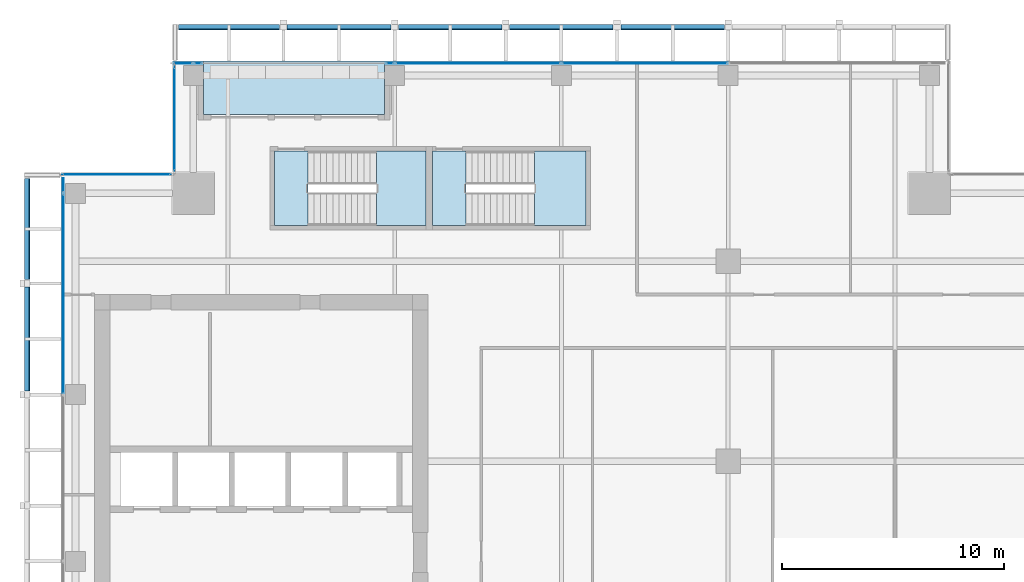
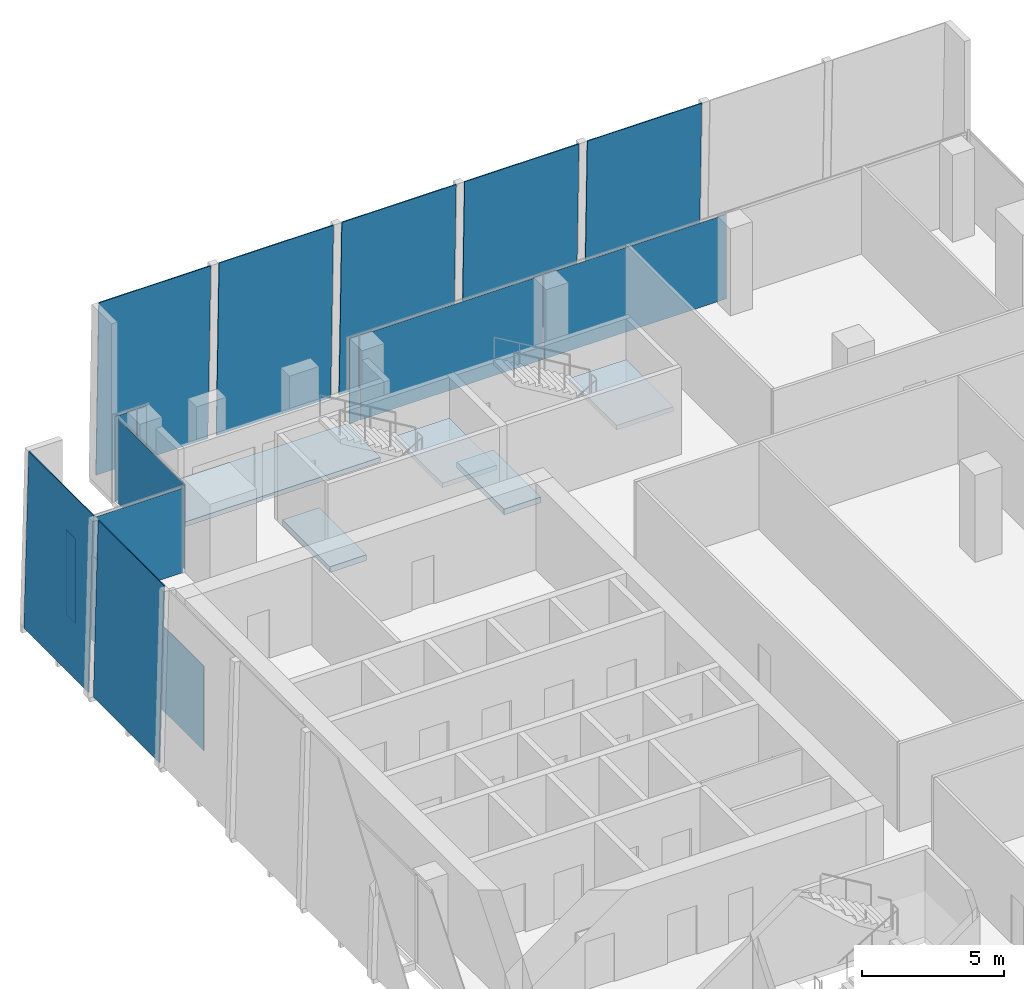
# One storey, part 26 of 35: 16 plates, 5 slabs, 7 elements without a shape of their own.
"""IFC4 building model written with IfcOpenShell, lengths in metres."""

import ifcopenshell
import ifcopenshell.guid

model = None  # the IFC model being written
_history = None  # IfcOwnerHistory: only IFC2X3 demands one
_inside = {}  # id of a spatial element -> (the spatial element, [elements in it])
_under = {}  # id of a project, library or spatial element -> (it, [spatial elements below it])
_declared = {}  # id of a project -> (the project, [libraries it declares])
_typed = {}  # id of a type object -> (the type object, [elements of that type])
_made_of = {}  # id of a material, layer set ... -> (it, [elements and type objects made of it])


def new_model(schema):
    """Start an empty IFC model of exactly this schema.

    Asked for "IFC4X3", IfcOpenShell would pick the latest addendum, in which some entities
    have other attributes; the version numbers below select the first issue.
    IFC2X3 requires an IfcOwnerHistory on every rooted entity: one is made here for all.
    """
    global model, _history
    if schema == "IFC4X3":
        model = ifcopenshell.file(schema_version=(4, 3, 0, 0))
    else:
        model = ifcopenshell.file(schema=schema)
    _inside.clear()
    _under.clear()
    _declared.clear()
    _typed.clear()
    _made_of.clear()
    _history = None
    if model.schema == "IFC2X3":
        org = make("IfcOrganization", Name="unknown")
        user = make(
            "IfcPersonAndOrganization",
            ThePerson=make("IfcPerson", FamilyName="unknown"),
            TheOrganization=org,
        )
        app = make(
            "IfcApplication",
            ApplicationDeveloper=org,
            Version="unknown",
            ApplicationFullName="unknown",
            ApplicationIdentifier="unknown",
        )
        _history = make(
            "IfcOwnerHistory",
            OwningUser=user,
            OwningApplication=app,
            ChangeAction="ADDED",
            CreationDate=0,
        )
    return model


def make(cls, **values):
    """One entity of the class cls with the attributes given. An attribute that is None is left unset."""
    return model.create_entity(
        cls, **{name: value for name, value in values.items() if value is not None}
    )


def rooted(cls, **values):
    """An entity with a GlobalId (a new one), such as an element, a storey or a relation."""
    return make(cls, GlobalId=ifcopenshell.guid.new(), OwnerHistory=_history, **values)


def si_unit(unit_type, name, prefix=None):
    """IfcSIUnit, for example si_unit("LENGTHUNIT", "METRE", prefix="MILLI")."""
    return make("IfcSIUnit", UnitType=unit_type, Prefix=prefix, Name=name)


def assignment(units):
    """IfcUnitAssignment: the units of a project."""
    return None if units is None else make("IfcUnitAssignment", Units=units)


def point(xyz):
    """IfcCartesianPoint."""
    return None if xyz is None else make("IfcCartesianPoint", Coordinates=xyz)


def direction(xyz):
    """IfcDirection."""
    return None if xyz is None else make("IfcDirection", DirectionRatios=xyz)


def frame(location, z_axis=None, x_axis=None):
    """IfcAxis2Placement3D, a coordinate frame: its origin and axes. An axis left out is left unset."""
    return make(
        "IfcAxis2Placement3D",
        Location=point(location),
        Axis=direction(z_axis),
        RefDirection=direction(x_axis),
    )


def frame_2d(location, x_axis=None):
    """IfcAxis2Placement2D, a coordinate frame in the plane: its origin and x axis."""
    return make(
        "IfcAxis2Placement2D", Location=point(location), RefDirection=direction(x_axis)
    )


def origin():
    """The frame at (0, 0, 0) with its axes left unset."""
    return frame((0.0, 0.0, 0.0))


def origin_2d():
    """The frame at (0, 0) in the plane with its x axis left unset."""
    return frame_2d((0.0, 0.0))


def place(relative_to, where):
    """IfcLocalPlacement: puts the frame where relative to a parent placement (None: the world)."""
    return make(
        "IfcLocalPlacement", PlacementRelTo=relative_to, RelativePlacement=where
    )


def context(
    kind, dimensions, precision=None, world=None, true_north=None, identifier=None
):
    """IfcGeometricRepresentationContext, for example the 3D "Model" context."""
    return make(
        "IfcGeometricRepresentationContext",
        ContextIdentifier=identifier,
        ContextType=kind,
        CoordinateSpaceDimension=dimensions,
        Precision=precision,
        WorldCoordinateSystem=world,
        TrueNorth=true_north,
    )


def subcontext(parent, identifier, kind, view, scale=None):
    """IfcGeometricRepresentationSubContext, for example "Body" below "Model"."""
    return make(
        "IfcGeometricRepresentationSubContext",
        ContextIdentifier=identifier,
        ContextType=kind,
        ParentContext=parent,
        TargetScale=scale,
        TargetView=view,
    )


def project(units=None, contexts=None):
    """IfcProject with its units and contexts."""
    return rooted(
        "IfcProject",
        Name="project",
        RepresentationContexts=contexts,
        UnitsInContext=assignment(units),
    )


def spatial(cls, under=None, at=None, **own):
    """A site, building, storey or space (cls), placed at a placement, below another one or the project."""
    s = rooted(cls, ObjectPlacement=at, **own)
    if under is not None:
        _under.setdefault(under.id(), (under, []))[1].append(s)
    return s


def polyline(points):
    """IfcPolyline through the points."""
    return make("IfcPolyline", Points=[point(p) for p in points])


def profile(cls, at=None, kind="AREA", **sizes):
    """A parametric profile (cls). Its sizes go by their IFC names, for example OverallWidth=200.0."""
    return make(cls, ProfileType=kind, Position=at, **sizes)


def rectangle(**sizes):
    """IfcRectangleProfileDef."""
    return profile("IfcRectangleProfileDef", **sizes)


def outline(outer, holes=None, kind="AREA"):
    """IfcArbitraryClosedProfileDef: a profile drawn as a closed curve; with holes, ...WithVoids."""
    if holes is None:
        return make("IfcArbitraryClosedProfileDef", ProfileType=kind, OuterCurve=outer)
    return make(
        "IfcArbitraryProfileDefWithVoids",
        ProfileType=kind,
        OuterCurve=outer,
        InnerCurves=holes,
    )


def extrude(swept, where, along, depth):
    """IfcExtrudedAreaSolid: the profile swept, set in the frame where, extruded along a direction by depth."""
    return make(
        "IfcExtrudedAreaSolid",
        SweptArea=swept,
        Position=where,
        ExtrudedDirection=direction(along),
        Depth=depth,
    )


def shape(context_of_items, identifier, shape_type, items):
    """IfcShapeRepresentation: the items that make up one representation, for example the "Body"."""
    return make(
        "IfcShapeRepresentation",
        ContextOfItems=context_of_items,
        RepresentationIdentifier=identifier,
        RepresentationType=shape_type,
        Items=items,
    )


def source(mapping_origin, context_of_items, identifier, shape_type, items):
    """IfcRepresentationMap: a shape defined once, which mapped items show again and again."""
    return make(
        "IfcRepresentationMap",
        MappingOrigin=mapping_origin,
        MappedRepresentation=shape(context_of_items, identifier, shape_type, items),
    )


def transform(
    local_origin,
    x_axis=None,
    y_axis=None,
    z_axis=None,
    scale=None,
    scale2=None,
    scale3=None,
    uniform=True,
):
    """IfcCartesianTransformationOperator3D, or its non-uniform kind. x_axis, y_axis, z_axis: its Axis1, 2, 3."""
    if uniform:
        return make(
            "IfcCartesianTransformationOperator3D",
            Axis1=direction(x_axis),
            Axis2=direction(y_axis),
            LocalOrigin=point(local_origin),
            Scale=scale,
            Axis3=direction(z_axis),
        )
    return make(
        "IfcCartesianTransformationOperator3DnonUniform",
        Axis1=direction(x_axis),
        Axis2=direction(y_axis),
        LocalOrigin=point(local_origin),
        Scale=scale,
        Axis3=direction(z_axis),
        Scale2=scale2,
        Scale3=scale3,
    )


def mapped(mapping_source, mapping_target):
    """IfcMappedItem: shows the shape of a source again, moved by a transform."""
    return make(
        "IfcMappedItem", MappingSource=mapping_source, MappingTarget=mapping_target
    )


def material(Name=None, Category=None):
    """IfcMaterial."""
    return make("IfcMaterial", Name=Name, Category=Category)


def layer(
    of_material, thickness, ventilated=None, Name=None, Category=None, Priority=None
):
    """IfcMaterialLayer: one layer of a wall or slab, of a material (None: an air gap)."""
    return make(
        "IfcMaterialLayer",
        Material=of_material,
        LayerThickness=thickness,
        IsVentilated=ventilated,
        Name=Name,
        Category=Category,
        Priority=Priority,
    )


def layer_set(layers, Name=None):
    """IfcMaterialLayerSet."""
    return make("IfcMaterialLayerSet", MaterialLayers=layers, LayerSetName=Name)


def made_of(thing, what):
    """Note that an element or type object is made of a material, layer set ...; save() writes the relation."""
    if what is not None:
        _made_of.setdefault(what.id(), (what, []))[1].append(thing)
    return thing


def type_object(cls, material=None, **own):
    """A type object (cls), such as IfcWallType, which elements share."""
    return made_of(rooted(cls, **own), material)


def element(
    cls,
    number,
    at=None,
    inside=None,
    cuts=None,
    type_object=None,
    material=None,
    context=None,
    identifier="Body",
    shape_type=None,
    held_by="IfcProductDefinitionShape",
    body=None,
    shapes=None,
    **own,
):
    """One element of the class cls, such as IfcWall. Its Tag is "e" and its number.

    at: its placement. inside: the storey or other place that contains it. cuts: it is an
    opening in that element (IfcRelVoidsElement). A single representation is given by context,
    identifier, shape_type and body (its items); several are given by shapes. held_by: the class
    of the entity that holds the representations. save() writes the other relations.
    """
    e = rooted(cls, Tag="e%d" % number, ObjectPlacement=at, **own)
    if body is not None:
        shapes = [shape(context, identifier, shape_type, body)]
    if shapes is not None:
        e.Representation = make(held_by, Representations=shapes)
    if inside is not None:
        _inside.setdefault(inside.id(), (inside, []))[1].append(e)
    if cuts is not None:
        rooted(
            "IfcRelVoidsElement", RelatingBuildingElement=cuts, RelatedOpeningElement=e
        )
    if type_object is not None:
        _typed.setdefault(type_object.id(), (type_object, []))[1].append(e)
    return made_of(e, material)


def aggregate(whole, parts):
    """IfcRelAggregates: a whole, such as a stair, and the parts it consists of."""
    return rooted("IfcRelAggregates", RelatingObject=whole, RelatedObjects=parts)


def save(model, path):
    """Write the relations noted so far, then the file.

    IfcRelAggregates (storeys below a building ...), IfcRelContainedInSpatialStructure (elements
    in a storey), IfcRelDefinesByType, IfcRelAssociatesMaterial and IfcRelDeclares: one each for
    every whole, place, type object, material and project.
    """
    for whole, parts in _under.values():
        aggregate(whole, parts)
    for where, things in _inside.values():
        rooted(
            "IfcRelContainedInSpatialStructure",
            RelatedElements=things,
            RelatingStructure=where,
        )
    for kind, things in _typed.values():
        rooted("IfcRelDefinesByType", RelatedObjects=things, RelatingType=kind)
    for what, things in _made_of.values():
        rooted("IfcRelAssociatesMaterial", RelatedObjects=things, RelatingMaterial=what)
    for by, libraries in _declared.values():
        rooted("IfcRelDeclares", RelatingContext=by, RelatedDefinitions=libraries)
    model.write(path)


model = new_model("IFC4")

# Units and contexts
model_context = context("Model", 3, precision=1e-05, world=origin(), true_north=direction((0.0, 1.0)))
body_context = subcontext(model_context, "Body", "Model", "MODEL_VIEW")
ifc_project = project(units=[si_unit("LENGTHUNIT", "METRE"), si_unit("AREAUNIT", "SQUARE_METRE"), si_unit("VOLUMEUNIT", "CUBIC_METRE"), si_unit("PLANEANGLEUNIT", "RADIAN"), si_unit("MASSUNIT", "GRAM", prefix="KILO")], contexts=[model_context])

# Site, building, storey
site_placement = place(None, origin())
site = spatial("IfcSite", under=ifc_project, at=site_placement, CompositionType="ELEMENT")
building_placement = place(site_placement, origin())
building = spatial("IfcBuilding", under=site, at=building_placement, Name="Khomas Fold Tower", CompositionType="ELEMENT")
storey_placement = place(building_placement, frame((0.0, 0.0, 258.199951171875)))
storey = spatial("IfcBuildingStorey", under=building, at=storey_placement, Name="L58", CompositionType="ELEMENT", Elevation=258.199951171875)

# Plates
ifc_material_1 = material(Name="Clear laminated glass", Category="glass")
ifc_layer_1 = layer(ifc_material_1, 0.0400390625)
ifc_layer_set_1 = layer_set([ifc_layer_1], Name="Clear laminated glass")
plate_type_1 = type_object("IfcPlateType", Name="SK-Clear laminated glass leaf", PredefinedType="SHEET", material=ifc_layer_set_1)
plate_1_placement = place(storey_placement, frame((9.77001953125, 51.13671875, 0.0009765625), z_axis=(0.0, 0.99965715546, 0.026183421048), x_axis=(1.0, 0.0, 0.0)))
element("IfcPlate", 1, at=plate_1_placement, inside=storey, type_object=plate_type_1, Name="OUTER SKIN glass L58 N1", PredefinedType="SHEET", context=body_context, shape_type="SweptSolid", body=[
    extrude(outline(polyline([(0.0, 0.0), (4.56005859375, 0.0), (4.56005859375, -7.552638208898188), (0.0, -7.552638208898188), (0.0, 0.0)])), origin(), (0.0, 0.0, -1.0), 0.0400390625),
])
for number, where, z_axis, x_axis, name in (
    (2, (14.669921875, 51.13671875, 0.0009765625), (0.0, 0.99965715546, 0.026183421048), (1.0, 0.0, 0.0), "OUTER SKIN glass L58 N3"),
    (3, (19.669921875, 51.13671875, 0.0009765625), (0.0, 0.99965715546, 0.026183421048), (1.0, 0.0, 0.0), "OUTER SKIN glass L58 N5"),
    (4, (24.669921875, 51.13671875, 0.0009765625), (0.0, 0.99965715546, 0.026183421048), (1.0, 0.0, 0.0), "OUTER SKIN glass L58 N7"),
    (5, (29.669921875, 51.13671875, 0.0009765625), (0.0, 0.99965715546, 0.026183421048), (1.0, 0.0, 0.0), "OUTER SKIN glass L58 N9"),
    (6, (2.86328125, 34.669921875, 0.0009765625), (-0.99965715546, 0.0, 0.026183421048), (0.0, 1.0, 0.0), "OUTER SKIN glass L58 W11"),
):
    element("IfcPlate", number, at=place(storey_placement, frame(where, z_axis=z_axis, x_axis=x_axis)), inside=storey, type_object=plate_type_1, Name=name, PredefinedType="SHEET", context=body_context, shape_type="SweptSolid", body=[
        extrude(outline(polyline([(0.0, 0.0), (4.66015625, 0.0), (4.66015625, -7.552638208898188), (0.0, -7.552638208898188), (0.0, 0.0)])), origin(), (0.0, 0.0, -1.0), 0.0400390625),
    ])
plate_2_placement = place(storey_placement, frame((2.86328125, 39.669921875, 0.0009765625), z_axis=(-0.99965715546, 0.0, 0.026183421048), x_axis=(0.0, 1.0, 0.0)))
element("IfcPlate", 7, at=plate_2_placement, inside=storey, type_object=plate_type_1, Name="OUTER SKIN glass L58 W13", PredefinedType="SHEET", context=body_context, shape_type="SweptSolid", body=[
    extrude(outline(polyline([(0.0, 0.0), (4.56005859375, 0.0), (4.56005859375, -7.552638208898188), (0.0, -7.552638208898188), (0.0, 0.0)])), origin(), (0.0, 0.0, -1.0), 0.0400390625),
])

# Curtain wall, plate
ifc_material_2 = material(Name="Aluminium framed double glazing", Category="aluminium")
curtain_wall_type = type_object("IfcCurtainWallType", Name="SK-Unitised clear-glass wall, office floors CW2", PredefinedType="NOTDEFINED", material=ifc_material_2)
curtain_wall_1_placement = place(storey_placement, origin())
curtain_wall_1 = element("IfcCurtainWall", 8, at=curtain_wall_1_placement, inside=storey, type_object=curtain_wall_type, Name="CW2 run L58 09-0", PredefinedType="NOTDEFINED")
ifc_material_3 = material(Name="Clear double glazed unit")
ifc_layer_2 = layer(ifc_material_3, 0.030029296875)
ifc_layer_set_2 = layer_set([ifc_layer_2], Name="Clear double glazed unit")
plate_type_2 = type_object("IfcPlateType", Name="SK-Unitised clear-glass wall, office floors glass panel CW2-P", PredefinedType="CURTAIN_PANEL", material=ifc_layer_set_2)
shared_shape_1 = source(origin(), body_context, "Body", "SweptSolid", [
    extrude(rectangle(XDim=0.659912109375, YDim=0.030029296875, at=origin_2d()), origin(), (0.0, 0.0, 1.0), 3.639892578125),
])
plate_3_placement = place(storey_placement, frame((4.60009765625, 43.909912109375, 0.0), z_axis=(0.0, 0.0, 1.0), x_axis=(0.0, -1.0, 0.0)))
plate_3 = element("IfcPlate", 9, at=plate_3_placement, type_object=plate_type_2, Name="CW2 glass panel 1", PredefinedType="CURTAIN_PANEL", context=body_context, shape_type="MappedRepresentation", body=[
    mapped(shared_shape_1, transform((0.0, 0.0, 0.0))),
])

# Curtain wall, plates
curtain_wall_2_placement = place(storey_placement, origin())
curtain_wall_2 = element("IfcCurtainWall", 10, at=curtain_wall_2_placement, inside=storey, type_object=curtain_wall_type, Name="CW2 run L58 06-0", PredefinedType="NOTDEFINED")
shared_shape_2 = source(origin(), body_context, "Body", "SweptSolid", [
    extrude(rectangle(XDim=7.43994140625, YDim=0.030029296875, at=origin_2d()), origin(), (0.0, 0.0, 1.0), 3.639892578125),
])
plate_4_placement = place(storey_placement, frame((30.75, 49.39990234375, 0.0), z_axis=(0.0, 0.0, 1.0), x_axis=(-1.0, 0.0, 0.0)))
plate_4 = element("IfcPlate", 11, at=plate_4_placement, type_object=plate_type_2, Name="CW2 glass panel 3", PredefinedType="CURTAIN_PANEL", context=body_context, shape_type="MappedRepresentation", body=[
    mapped(shared_shape_2, transform((0.0, 0.0, 0.0))),
])
plate_5_placement = place(storey_placement, frame((23.25, 49.39990234375, 0.0), z_axis=(0.0, 0.0, 1.0), x_axis=(-1.0, 0.0, 0.0)))
plate_5 = element("IfcPlate", 12, at=plate_5_placement, type_object=plate_type_2, Name="CW2 glass panel 4", PredefinedType="CURTAIN_PANEL", context=body_context, shape_type="MappedRepresentation", body=[
    mapped(shared_shape_2, transform((0.0, 0.0, 0.0))),
])

# Curtain wall, plate
curtain_wall_3_placement = place(storey_placement, origin())
curtain_wall_3 = element("IfcCurtainWall", 13, at=curtain_wall_3_placement, inside=storey, type_object=curtain_wall_type, Name="CW2 run L58 06-1", PredefinedType="NOTDEFINED")
shared_shape_3 = source(origin(), body_context, "Body", "SweptSolid", [
    extrude(rectangle(XDim=0.860107421875, YDim=0.030029296875, at=origin_2d()), origin(), (0.0, 0.0, 1.0), 3.639892578125),
])
plate_6_placement = place(storey_placement, frame((9.989990234375, 49.39990234375, 0.0), z_axis=(0.0, 0.0, 1.0), x_axis=(-1.0, 0.0, 0.0)))
plate_6 = element("IfcPlate", 14, at=plate_6_placement, type_object=plate_type_2, Name="CW2 glass panel 2", PredefinedType="CURTAIN_PANEL", context=body_context, shape_type="MappedRepresentation", body=[
    mapped(shared_shape_3, transform((0.0, 0.0, 0.0))),
])

# Plate
shared_shape_4 = source(origin(), body_context, "Body", "SweptSolid", [
    extrude(rectangle(XDim=8.989990234375, YDim=0.030029296875, at=origin_2d()), origin(), (0.0, 0.0, 1.0), 3.639892578125),
])
plate_7_placement = place(storey_placement, frame((4.60009765625, 39.02490234375, 0.0), z_axis=(0.0, 0.0, 1.0), x_axis=(0.0, -1.0, 0.0)))
plate_7 = element("IfcPlate", 15, at=plate_7_placement, type_object=plate_type_2, Name="CW2 glass panel 2", PredefinedType="CURTAIN_PANEL", context=body_context, shape_type="MappedRepresentation", body=[
    mapped(shared_shape_4, transform((0.0, 0.0, 0.0))),
])

aggregate(curtain_wall_1, [plate_3, plate_7])

# Curtain wall, plate
curtain_wall_4_placement = place(storey_placement, origin())
curtain_wall_4 = element("IfcCurtainWall", 16, at=curtain_wall_4_placement, inside=storey, type_object=curtain_wall_type, Name="CW2 corner return L58 07", PredefinedType="NOTDEFINED")
shared_shape_5 = source(origin(), body_context, "Body", "SweptSolid", [
    extrude(rectangle(XDim=4.679931640625, YDim=0.030029296875, at=origin_2d()), origin(), (0.0, 0.0, 1.0), 3.639892578125),
])
plate_8_placement = place(storey_placement, frame((9.60009765625, 46.89990234375, 0.0), z_axis=(0.0, 0.0, 1.0), x_axis=(0.0, -1.0, 0.0)))
plate_8 = element("IfcPlate", 17, at=plate_8_placement, type_object=plate_type_2, Name="CW2 glass panel 1", PredefinedType="CURTAIN_PANEL", context=body_context, shape_type="MappedRepresentation", body=[
    mapped(shared_shape_5, transform((0.0, 0.0, 0.0))),
])
aggregate(curtain_wall_4, [plate_8])

curtain_wall_5_placement = place(storey_placement, origin())
curtain_wall_5 = element("IfcCurtainWall", 18, at=curtain_wall_5_placement, inside=storey, type_object=curtain_wall_type, Name="CW2 corner return L58 08", PredefinedType="NOTDEFINED")
shared_shape_6 = source(origin(), body_context, "Body", "SweptSolid", [
    extrude(rectangle(XDim=4.8798828125, YDim=0.030029296875, at=origin_2d()), origin(), (0.0, 0.0, 1.0), 3.639892578125),
])
plate_9_placement = place(storey_placement, frame((7.0, 44.39990234375, 0.0), z_axis=(0.0, 0.0, 1.0), x_axis=(-1.0, 0.0, 0.0)))
plate_9 = element("IfcPlate", 19, at=plate_9_placement, type_object=plate_type_2, Name="CW2 glass panel 1", PredefinedType="CURTAIN_PANEL", context=body_context, shape_type="MappedRepresentation", body=[
    mapped(shared_shape_6, transform((0.0, 0.0, 0.0))),
])
aggregate(curtain_wall_5, [plate_9])

# Plate
shared_shape_7 = source(origin(), body_context, "Body", "SweptSolid", [
    extrude(rectangle(XDim=0.360107421875, YDim=0.030029296875, at=origin_2d()), origin(), (0.0, 0.0, 1.0), 3.639892578125),
])
plate_10_placement = place(storey_placement, frame((19.2900390625, 49.39990234375, 0.0), z_axis=(0.0, 0.0, 1.0), x_axis=(-1.0, 0.0, 0.0)))
plate_10 = element("IfcPlate", 20, at=plate_10_placement, type_object=plate_type_2, Name="CW2 glass panel 5", PredefinedType="CURTAIN_PANEL", context=body_context, shape_type="MappedRepresentation", body=[
    mapped(shared_shape_7, transform((0.0, 0.0, 0.0))),
])

aggregate(curtain_wall_2, [plate_4, plate_5, plate_10])

plate_11_placement = place(storey_placement, frame((10.659912109375, 49.39990234375, 0.0), z_axis=(0.0, 0.0, 1.0), x_axis=(-1.0, 0.0, 0.0)))
plate_11 = element("IfcPlate", 21, at=plate_11_placement, type_object=plate_type_2, Name="CW2 glass panel 1", PredefinedType="CURTAIN_PANEL", context=body_context, shape_type="MappedRepresentation", body=[
    mapped(shared_shape_7, transform((0.0, 0.0, 0.0))),
])

aggregate(curtain_wall_3, [plate_11, plate_6])

# Slab
ifc_material_4 = material(Name="Concrete C40/50", Category="concrete")
ifc_layer_3 = layer(ifc_material_4, 0.205078125)
ifc_layer_set_3 = layer_set([ifc_layer_3], Name="Concrete C40/50")
slab_type_1 = type_object("IfcSlabType", Name="BL-Balcony deck 205", PredefinedType="FLOOR", material=ifc_layer_set_3)
shared_shape_8 = source(origin(), body_context, "Body", "SweptSolid", [
    extrude(outline(polyline([(10.89990234375, 47.10009765625), (19.050048828125, 47.10009765625), (19.050048828125, 49.5), (10.89990234375, 49.5), (10.89990234375, 47.10009765625)])), origin(), (0.0, 0.0, 1.0), 0.205078125),
])
slab_1_placement = place(storey_placement, frame((0.0, 0.0, -0.25)))
element("IfcSlab", 22, at=slab_1_placement, inside=storey, type_object=slab_type_1, Name="Balcony deck BAL-L58-N1", PredefinedType="FLOOR", context=body_context, shape_type="MappedRepresentation", body=[
    mapped(shared_shape_8, transform((0.0, 0.0, 0.0))),
])

# Stair, slab
ifc_material_5 = material(Name="Concrete C40/50", Category="concrete")
stair_type_1 = type_object("IfcStairType", Name="Stair ST1", PredefinedType="HALF_TURN_STAIR", material=ifc_material_5)
stair_1_placement = place(storey_placement, origin())
stair_1 = element("IfcStair", 23, at=stair_1_placement, inside=storey, type_object=stair_type_1, Name="L58 ST1", PredefinedType="HALF_TURN_STAIR")
ifc_material_6 = material(Name="Concrete C40/50", Category="concrete")
ifc_layer_4 = layer(ifc_material_6, 0.199951171875)
ifc_layer_set_4 = layer_set([ifc_layer_4], Name="Concrete C40/50")
slab_type_2 = type_object("IfcSlabType", Name="Stair landing 200", PredefinedType="LANDING", material=ifc_layer_set_4)
shared_shape_9 = source(origin(), body_context, "Body", "SweptSolid", [
    extrude(outline(polyline([(18.679931640625, 42.10009765625), (20.89990234375, 42.10009765625), (20.89990234375, 45.449951171875), (18.679931640625, 45.449951171875), (18.679931640625, 42.10009765625)])), origin(), (0.0, 0.0, 1.0), 0.199951171875),
])
slab_2_placement = place(storey_placement, frame((0.0, 0.0, 1.800048828125)))
slab_2 = element("IfcSlab", 24, at=slab_2_placement, type_object=slab_type_2, Name="ST1 landing 1", PredefinedType="LANDING", context=body_context, shape_type="MappedRepresentation", body=[
    mapped(shared_shape_9, transform((0.0, 0.0, 0.0))),
])
aggregate(stair_1, [slab_2])

# Slab
ifc_material_7 = material(Name="Concrete C40/50", Category="concrete")
ifc_layer_5 = layer(ifc_material_7, 0.25)
ifc_layer_set_5 = layer_set([ifc_layer_5], Name="Concrete C40/50")
slab_type_3 = type_object("IfcSlabType", Name="Stair floor landing 250", PredefinedType="LANDING", material=ifc_layer_set_5)
shared_shape_10 = source(origin(), body_context, "Body", "SweptSolid", [
    extrude(outline(polyline([(15.60009765625, 42.10009765625), (14.10009765625, 42.10009765625), (14.10009765625, 45.449951171875), (15.60009765625, 45.449951171875), (15.60009765625, 42.10009765625)])), origin(), (0.0, 0.0, 1.0), 0.25),
])
slab_3_placement = place(storey_placement, frame((0.0, 0.0, -0.25)))
element("IfcSlab", 25, at=slab_3_placement, inside=storey, type_object=slab_type_3, Name="ST1 floor landing", PredefinedType="LANDING", context=body_context, shape_type="MappedRepresentation", body=[
    mapped(shared_shape_10, transform((0.0, 0.0, 0.0))),
])

# Stair, slab
ifc_material_8 = material(Name="Concrete C40/50", Category="concrete")
stair_type_2 = type_object("IfcStairType", Name="Stair ST3", PredefinedType="HALF_TURN_STAIR", material=ifc_material_8)
stair_2_placement = place(storey_placement, origin())
stair_2 = element("IfcStair", 26, at=stair_2_placement, inside=storey, type_object=stair_type_2, Name="L58 ST3", PredefinedType="HALF_TURN_STAIR")
shared_shape_11 = source(origin(), body_context, "Body", "SweptSolid", [
    extrude(outline(polyline([(25.780029296875, 42.10009765625), (28.10009765625, 42.10009765625), (28.10009765625, 45.449951171875), (25.780029296875, 45.449951171875), (25.780029296875, 42.10009765625)])), origin(), (0.0, 0.0, 1.0), 0.199951171875),
])
slab_4_placement = place(storey_placement, frame((0.0, 0.0, 1.800048828125)))
slab_4 = element("IfcSlab", 27, at=slab_4_placement, type_object=slab_type_2, Name="ST3 landing 1", PredefinedType="LANDING", context=body_context, shape_type="MappedRepresentation", body=[
    mapped(shared_shape_11, transform((0.0, 0.0, 0.0))),
])
aggregate(stair_2, [slab_4])

# Slab
shared_shape_12 = source(origin(), body_context, "Body", "SweptSolid", [
    extrude(outline(polyline([(22.699951171875, 42.10009765625), (21.199951171875, 42.10009765625), (21.199951171875, 45.449951171875), (22.699951171875, 45.449951171875), (22.699951171875, 42.10009765625)])), origin(), (0.0, 0.0, 1.0), 0.25),
])
slab_5_placement = place(storey_placement, frame((0.0, 0.0, -0.25)))
element("IfcSlab", 28, at=slab_5_placement, inside=storey, type_object=slab_type_3, Name="ST3 floor landing", PredefinedType="LANDING", context=body_context, shape_type="MappedRepresentation", body=[
    mapped(shared_shape_12, transform((0.0, 0.0, 0.0))),
])

save(model, "model.ifc")
